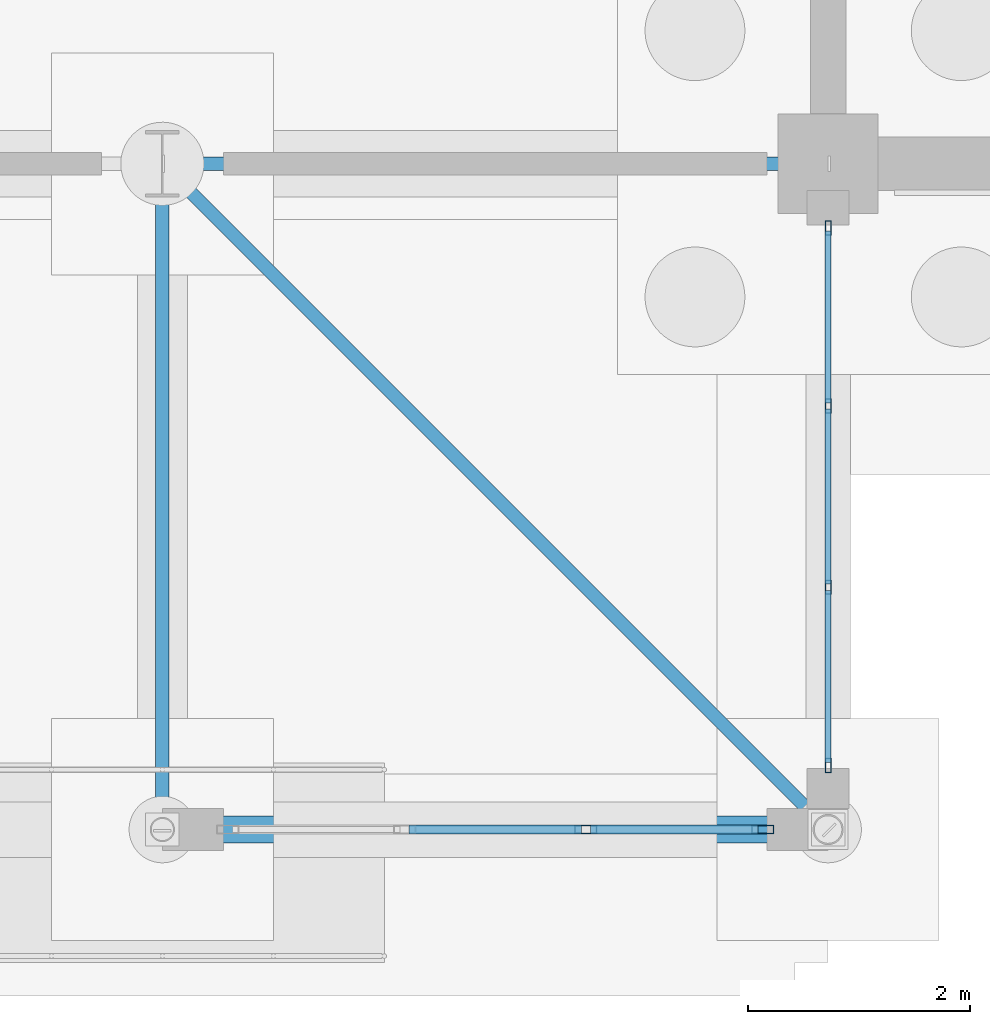
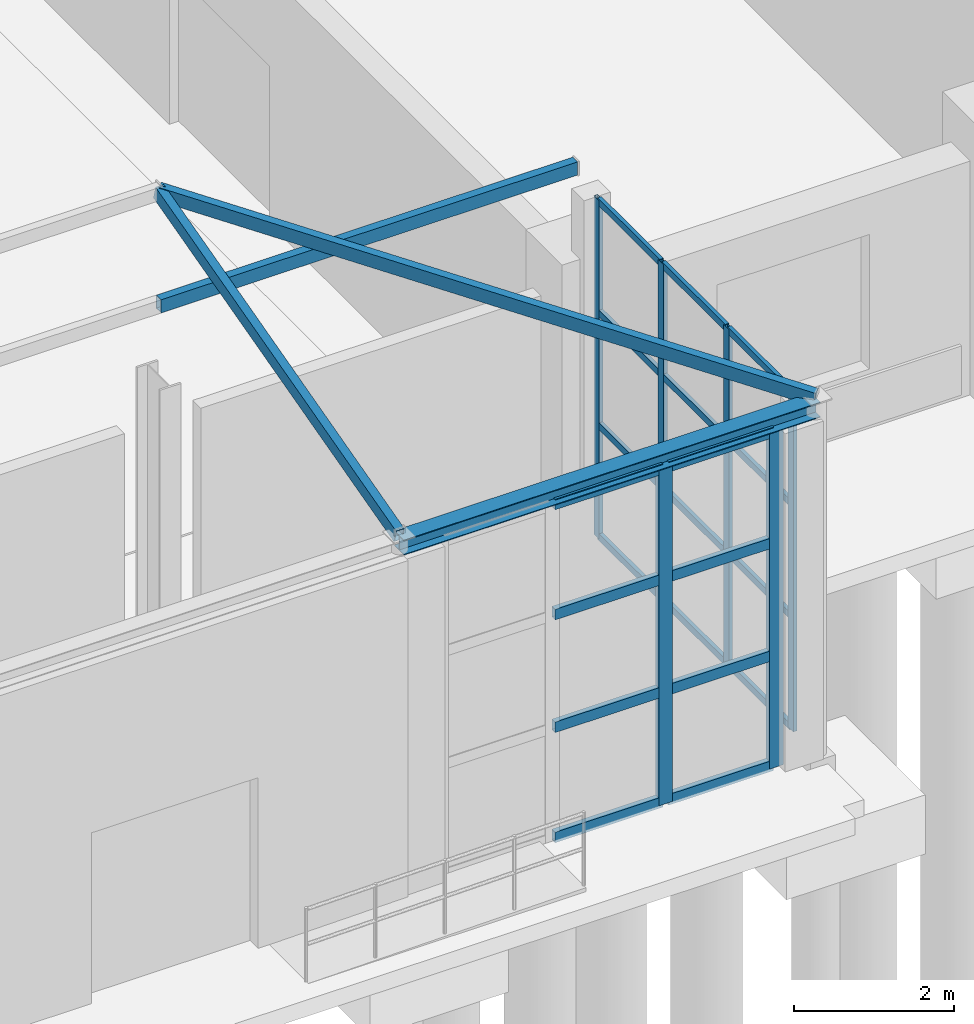
# One storey, part 37 of 77: 28 members, 2 beams, 2 elements without a shape of their own.
"""IFC4 building model written with IfcOpenShell, lengths in metres."""

from ifc_helpers import new_model, si_unit, direction, frame, origin, origin_2d, place, context, subcontext, project, spatial, hollow_rectangle, i_section, extrude, material, layer, layer_set, material_profile, profile_set, type_object, element, aggregate, save


model = new_model("IFC4")

# Units and contexts
model_context = context("Model", 3, precision=1e-05, world=origin(), true_north=direction((0.0, 1.0)))
body_context = subcontext(model_context, "Body", "Model", "MODEL_VIEW")
ifc_project = project(units=[si_unit("LENGTHUNIT", "METRE"), si_unit("AREAUNIT", "SQUARE_METRE"), si_unit("VOLUMEUNIT", "CUBIC_METRE"), si_unit("PLANEANGLEUNIT", "RADIAN"), si_unit("MASSUNIT", "GRAM", prefix="KILO")], contexts=[model_context])

# Site, building, storey
site_placement = place(None, origin())
site = spatial("IfcSite", under=ifc_project, at=site_placement, CompositionType="ELEMENT")
building_placement = place(site_placement, origin())
building = spatial("IfcBuilding", under=site, at=building_placement, Name="Zilviju Railside Exhibition Hall", CompositionType="ELEMENT")
storey_placement = place(building_placement, origin())
storey = spatial("IfcBuildingStorey", under=building, at=storey_placement, Name="L01", CompositionType="ELEMENT", Elevation=0.0)

# Beams
ifc_material_1 = material(Name="Steel S355ML", Category="steel")
ifc_material_profile_1 = material_profile(ifc_material_1, i_section(OverallWidth=0.239990234375, OverallDepth=0.22998046875, WebThickness=0.007568359375, FlangeThickness=0.011962890625, at=origin_2d()), Name="HEA 240")
ifc_profile_set_1 = profile_set([ifc_material_profile_1], Name="Steel S355ML")
beam_type_1 = type_object("IfcBeamType", Name="BM-HEA240", PredefinedType="SPANDREL", material=ifc_profile_set_1)
beam_1_placement = place(storey_placement, frame((72.0, -6.0, 5.280029296875), z_axis=(1.0, 0.0, 0.0), x_axis=(0.0, 1.0, 0.0)))
element("IfcBeam", 1, at=beam_1_placement, inside=storey, type_object=beam_type_1, Name="Porch Eave Beam Y=-6.0 (72.0..78.0)", PredefinedType="SPANDREL", context=body_context, shape_type="SweptSolid", body=[
    extrude(i_section(OverallWidth=0.239990234375, OverallDepth=0.22998046875, WebThickness=0.007568359375, FlangeThickness=0.011962890625, at=origin_2d()), origin(), (0.0, 0.0, 1.0), 6.0),
])
ifc_material_profile_2 = material_profile(ifc_material_1, hollow_rectangle(XDim=0.1201171875, YDim=0.199951171875, WallThickness=0.008056640625, at=origin_2d()), Name="RHS 200x120x8.0")
ifc_profile_set_2 = profile_set([ifc_material_profile_2], Name="Steel S355ML")
beam_type_2 = type_object("IfcBeamType", Name="BM-RHS200", PredefinedType="LINTEL", material=ifc_profile_set_2)
beam_2_placement = place(storey_placement, frame((72.0, 0.0, 5.280029296875), z_axis=(1.0, 0.0, 0.0), x_axis=(0.0, 1.0, 0.0)))
element("IfcBeam", 2, at=beam_2_placement, inside=storey, type_object=beam_type_2, Name="Porch Eave Beam Y=0.0 (72.0..78.0)", PredefinedType="LINTEL", context=body_context, shape_type="SweptSolid", body=[
    extrude(hollow_rectangle(XDim=0.1201171875, YDim=0.199951171875, WallThickness=0.008056640625, at=origin_2d()), origin(), (0.0, 0.0, 1.0), 6.0),
])

# Curtain wall, members
ifc_material_2 = material(Name="Thermally broken aluminium-steel triple-glazed curtain wall", Category="steel")
ifc_layer_1 = layer(ifc_material_2, 0.179931640625)
ifc_layer_set_1 = layer_set([ifc_layer_1], Name="Thermally broken aluminium-steel triple-glazed curtain wall")
curtain_wall_type_1 = type_object("IfcCurtainWallType", Name="CW-BAY-10", PredefinedType="USERDEFINED", material=ifc_layer_set_1)
curtain_wall_1_placement = place(storey_placement, origin())
curtain_wall_1 = element("IfcCurtainWall", 3, at=curtain_wall_1_placement, inside=storey, type_object=curtain_wall_type_1, Name="Glazed Entrance Porch East Curtain Wall", ObjectType="GLAZED CURTAIN WALL", PredefinedType="USERDEFINED")
ifc_material_3 = material(Name="Thermally broken anodized aluminium mullion", Category="aluminium")
ifc_material_profile_3 = material_profile(ifc_material_3, hollow_rectangle(XDim=0.054931640625, YDim=0.1298828125, WallThickness=0.0048828125, at=origin_2d()), Name="MULLION 130x55x5")
ifc_profile_set_3 = profile_set([ifc_material_profile_3], Name="Thermally broken anodized aluminium mullion")
member_type_1 = type_object("IfcMemberType", Name="CWM-55x130", PredefinedType="MULLION", material=ifc_profile_set_3)
member_1_placement = place(storey_placement, frame((78.0, -0.577392578125, 0.0), z_axis=(0.0, 0.0, 1.0), x_axis=(1.0, 0.0, 0.0)))
member_1 = element("IfcMember", 4, at=member_1_placement, type_object=member_type_1, Name="CW-10 mullion 1", PredefinedType="MULLION", context=body_context, shape_type="SweptSolid", body=[
    extrude(hollow_rectangle(XDim=0.054931640625, YDim=0.1298828125, WallThickness=0.0048828125, at=origin_2d()), origin(), (0.0, 0.0, 1.0), 5.14990234375),
])
member_2_placement = place(storey_placement, frame((78.0, -2.183349609375, 0.0), z_axis=(0.0, 0.0, 1.0), x_axis=(1.0, 0.0, 0.0)))
member_2 = element("IfcMember", 5, at=member_2_placement, type_object=member_type_1, Name="CW-10 mullion 2", PredefinedType="MULLION", context=body_context, shape_type="SweptSolid", body=[
    extrude(hollow_rectangle(XDim=0.054931640625, YDim=0.1298828125, WallThickness=0.0048828125, at=origin_2d()), origin(), (0.0, 0.0, 1.0), 5.14990234375),
])
member_3_placement = place(storey_placement, frame((78.0, -3.816650390625, 0.0), z_axis=(0.0, 0.0, 1.0), x_axis=(1.0, 0.0, 0.0)))
member_3 = element("IfcMember", 6, at=member_3_placement, type_object=member_type_1, Name="CW-10 mullion 3", PredefinedType="MULLION", context=body_context, shape_type="SweptSolid", body=[
    extrude(hollow_rectangle(XDim=0.054931640625, YDim=0.1298828125, WallThickness=0.0048828125, at=origin_2d()), origin(), (0.0, 0.0, 1.0), 5.14990234375),
])
member_4_placement = place(storey_placement, frame((78.0, -5.422607421875, 0.0), z_axis=(0.0, 0.0, 1.0), x_axis=(1.0, 0.0, 0.0)))
member_4 = element("IfcMember", 7, at=member_4_placement, type_object=member_type_1, Name="CW-10 mullion 4", PredefinedType="MULLION", context=body_context, shape_type="SweptSolid", body=[
    extrude(hollow_rectangle(XDim=0.054931640625, YDim=0.1298828125, WallThickness=0.0048828125, at=origin_2d()), origin(), (0.0, 0.0, 1.0), 5.14990234375),
])

ifc_layer_2 = layer(ifc_material_2, 0.179931640625)
ifc_layer_set_2 = layer_set([ifc_layer_2], Name="Thermally broken aluminium-steel triple-glazed curtain wall")
curtain_wall_type_2 = type_object("IfcCurtainWallType", Name="CW-BAY-08", PredefinedType="USERDEFINED", material=ifc_layer_set_2)
curtain_wall_2_placement = place(storey_placement, origin())
curtain_wall_2 = element("IfcCurtainWall", 8, at=curtain_wall_2_placement, inside=storey, type_object=curtain_wall_type_2, Name="Glazed Entrance Porch South Curtain Wall (72..78)", ObjectType="GLAZED CURTAIN WALL", PredefinedType="USERDEFINED")
ifc_material_profile_4 = material_profile(ifc_material_3, hollow_rectangle(XDim=0.080078125, YDim=0.199951171875, WallThickness=0.0048828125, at=origin_2d()), Name="MULLION 200x80x5")
ifc_profile_set_4 = profile_set([ifc_material_profile_4], Name="Thermally broken anodized aluminium mullion")
member_type_2 = type_object("IfcMemberType", Name="CWM-80x200", PredefinedType="MULLION", material=ifc_profile_set_4)
member_5_placement = place(storey_placement, frame((77.409912109375, -6.0, 0.0), z_axis=(0.0, 0.0, 1.0), x_axis=(0.0, -1.0, 0.0)))
member_5 = element("IfcMember", 9, at=member_5_placement, type_object=member_type_2, Name="CW-08 mullion 1", PredefinedType="MULLION", context=body_context, shape_type="SweptSolid", body=[
    extrude(hollow_rectangle(XDim=0.080078125, YDim=0.199951171875, WallThickness=0.0048828125, at=origin_2d()), origin(), (0.0, 0.0, 1.0), 5.14990234375),
])
member_6_placement = place(storey_placement, frame((75.816650390625, -6.0, 0.0), z_axis=(0.0, 0.0, 1.0), x_axis=(0.0, -1.0, 0.0)))
member_6 = element("IfcMember", 10, at=member_6_placement, type_object=member_type_2, Name="CW-08 mullion 2", PredefinedType="MULLION", context=body_context, shape_type="SweptSolid", body=[
    extrude(hollow_rectangle(XDim=0.080078125, YDim=0.199951171875, WallThickness=0.0048828125, at=origin_2d()), origin(), (0.0, 0.0, 1.0), 5.14990234375),
])

# Member
ifc_material_4 = material(Name="Thermally broken anodized aluminium transom", Category="aluminium")
ifc_material_profile_5 = material_profile(ifc_material_4, hollow_rectangle(XDim=0.054931640625, YDim=0.10498046875, WallThickness=0.0048828125, at=origin_2d()), Name="TRANSOM 105x55x5")
ifc_profile_set_5 = profile_set([ifc_material_profile_5], Name="Thermally broken anodized aluminium transom")
member_type_3 = type_object("IfcMemberType", Name="CWT-55x105", PredefinedType="USERDEFINED", material=ifc_profile_set_5)
member_7_placement = place(storey_placement, frame((78.0, -0.60498046875, 0.027587890625), z_axis=(0.0, -1.0, 0.0), x_axis=(1.0, 0.0, 0.0)))
member_7 = element("IfcMember", 11, at=member_7_placement, type_object=member_type_3, Name="CW-10 transom 1.1", ObjectType="TRANSOM", PredefinedType="USERDEFINED", context=body_context, shape_type="SweptSolid", body=[
    extrude(hollow_rectangle(XDim=0.054931640625, YDim=0.10498046875, WallThickness=0.0048828125, at=origin_2d()), origin(), (0.0, 0.0, 1.0), 1.55078125),
])

member_8_placement = place(storey_placement, frame((78.0, -0.60498046875, 1.717041015625), z_axis=(0.0, -1.0, 0.0), x_axis=(1.0, 0.0, 0.0)))
member_8 = element("IfcMember", 12, at=member_8_placement, type_object=member_type_3, Name="CW-10 transom 1.2", ObjectType="TRANSOM", PredefinedType="USERDEFINED", context=body_context, shape_type="SweptSolid", body=[
    extrude(hollow_rectangle(XDim=0.054931640625, YDim=0.10498046875, WallThickness=0.0048828125, at=origin_2d()), origin(), (0.0, 0.0, 1.0), 1.55078125),
])

member_9_placement = place(storey_placement, frame((78.0, -0.60498046875, 3.43310546875), z_axis=(0.0, -1.0, 0.0), x_axis=(1.0, 0.0, 0.0)))
member_9 = element("IfcMember", 13, at=member_9_placement, type_object=member_type_3, Name="CW-10 transom 1.3", ObjectType="TRANSOM", PredefinedType="USERDEFINED", context=body_context, shape_type="SweptSolid", body=[
    extrude(hollow_rectangle(XDim=0.054931640625, YDim=0.10498046875, WallThickness=0.0048828125, at=origin_2d()), origin(), (0.0, 0.0, 1.0), 1.55078125),
])

member_10_placement = place(storey_placement, frame((78.0, -0.60498046875, 5.12255859375), z_axis=(0.0, -1.0, 0.0), x_axis=(1.0, 0.0, 0.0)))
member_10 = element("IfcMember", 14, at=member_10_placement, type_object=member_type_3, Name="CW-10 transom 1.4", ObjectType="TRANSOM", PredefinedType="USERDEFINED", context=body_context, shape_type="SweptSolid", body=[
    extrude(hollow_rectangle(XDim=0.054931640625, YDim=0.10498046875, WallThickness=0.0048828125, at=origin_2d()), origin(), (0.0, 0.0, 1.0), 1.55078125),
])

member_11_placement = place(storey_placement, frame((78.0, -2.2109375, 0.027587890625), z_axis=(0.0, -1.0, 0.0), x_axis=(1.0, 0.0, 0.0)))
member_11 = element("IfcMember", 15, at=member_11_placement, type_object=member_type_3, Name="CW-10 transom 2.1", ObjectType="TRANSOM", PredefinedType="USERDEFINED", context=body_context, shape_type="SweptSolid", body=[
    extrude(hollow_rectangle(XDim=0.054931640625, YDim=0.10498046875, WallThickness=0.0048828125, at=origin_2d()), origin(), (0.0, 0.0, 1.0), 1.578125),
])

member_12_placement = place(storey_placement, frame((78.0, -2.2109375, 1.717041015625), z_axis=(0.0, -1.0, 0.0), x_axis=(1.0, 0.0, 0.0)))
member_12 = element("IfcMember", 16, at=member_12_placement, type_object=member_type_3, Name="CW-10 transom 2.2", ObjectType="TRANSOM", PredefinedType="USERDEFINED", context=body_context, shape_type="SweptSolid", body=[
    extrude(hollow_rectangle(XDim=0.054931640625, YDim=0.10498046875, WallThickness=0.0048828125, at=origin_2d()), origin(), (0.0, 0.0, 1.0), 1.578125),
])

member_13_placement = place(storey_placement, frame((78.0, -2.2109375, 3.43310546875), z_axis=(0.0, -1.0, 0.0), x_axis=(1.0, 0.0, 0.0)))
member_13 = element("IfcMember", 17, at=member_13_placement, type_object=member_type_3, Name="CW-10 transom 2.3", ObjectType="TRANSOM", PredefinedType="USERDEFINED", context=body_context, shape_type="SweptSolid", body=[
    extrude(hollow_rectangle(XDim=0.054931640625, YDim=0.10498046875, WallThickness=0.0048828125, at=origin_2d()), origin(), (0.0, 0.0, 1.0), 1.578125),
])

member_14_placement = place(storey_placement, frame((78.0, -2.2109375, 5.12255859375), z_axis=(0.0, -1.0, 0.0), x_axis=(1.0, 0.0, 0.0)))
member_14 = element("IfcMember", 18, at=member_14_placement, type_object=member_type_3, Name="CW-10 transom 2.4", ObjectType="TRANSOM", PredefinedType="USERDEFINED", context=body_context, shape_type="SweptSolid", body=[
    extrude(hollow_rectangle(XDim=0.054931640625, YDim=0.10498046875, WallThickness=0.0048828125, at=origin_2d()), origin(), (0.0, 0.0, 1.0), 1.578125),
])

member_15_placement = place(storey_placement, frame((78.0, -3.84423828125, 0.027587890625), z_axis=(0.0, -1.0, 0.0), x_axis=(1.0, 0.0, 0.0)))
member_15 = element("IfcMember", 19, at=member_15_placement, type_object=member_type_3, Name="CW-10 transom 3.1", ObjectType="TRANSOM", PredefinedType="USERDEFINED", context=body_context, shape_type="SweptSolid", body=[
    extrude(hollow_rectangle(XDim=0.054931640625, YDim=0.10498046875, WallThickness=0.0048828125, at=origin_2d()), origin(), (0.0, 0.0, 1.0), 1.55078125),
])

member_16_placement = place(storey_placement, frame((78.0, -3.84423828125, 1.717041015625), z_axis=(0.0, -1.0, 0.0), x_axis=(1.0, 0.0, 0.0)))
member_16 = element("IfcMember", 20, at=member_16_placement, type_object=member_type_3, Name="CW-10 transom 3.2", ObjectType="TRANSOM", PredefinedType="USERDEFINED", context=body_context, shape_type="SweptSolid", body=[
    extrude(hollow_rectangle(XDim=0.054931640625, YDim=0.10498046875, WallThickness=0.0048828125, at=origin_2d()), origin(), (0.0, 0.0, 1.0), 1.55078125),
])

member_17_placement = place(storey_placement, frame((78.0, -3.84423828125, 3.43310546875), z_axis=(0.0, -1.0, 0.0), x_axis=(1.0, 0.0, 0.0)))
member_17 = element("IfcMember", 21, at=member_17_placement, type_object=member_type_3, Name="CW-10 transom 3.3", ObjectType="TRANSOM", PredefinedType="USERDEFINED", context=body_context, shape_type="SweptSolid", body=[
    extrude(hollow_rectangle(XDim=0.054931640625, YDim=0.10498046875, WallThickness=0.0048828125, at=origin_2d()), origin(), (0.0, 0.0, 1.0), 1.55078125),
])

member_18_placement = place(storey_placement, frame((78.0, -3.84423828125, 5.12255859375), z_axis=(0.0, -1.0, 0.0), x_axis=(1.0, 0.0, 0.0)))
member_18 = element("IfcMember", 22, at=member_18_placement, type_object=member_type_3, Name="CW-10 transom 3.4", ObjectType="TRANSOM", PredefinedType="USERDEFINED", context=body_context, shape_type="SweptSolid", body=[
    extrude(hollow_rectangle(XDim=0.054931640625, YDim=0.10498046875, WallThickness=0.0048828125, at=origin_2d()), origin(), (0.0, 0.0, 1.0), 1.55078125),
])

aggregate(curtain_wall_1, [member_1, member_2, member_3, member_4, member_7, member_8, member_9, member_10, member_11, member_12, member_13, member_14, member_15, member_16, member_17, member_18])

ifc_material_profile_6 = material_profile(ifc_material_4, hollow_rectangle(XDim=0.080078125, YDim=0.159912109375, WallThickness=0.0048828125, at=origin_2d()), Name="TRANSOM 160x80x5")
ifc_profile_set_6 = profile_set([ifc_material_profile_6], Name="Thermally broken anodized aluminium transom")
member_type_4 = type_object("IfcMemberType", Name="CWT-80x160", PredefinedType="USERDEFINED", material=ifc_profile_set_6)
member_19_placement = place(storey_placement, frame((77.3701171875, -6.0, 0.0400390625), z_axis=(-1.0, 0.0, 0.0), x_axis=(0.0, -1.0, 0.0)))
member_19 = element("IfcMember", 23, at=member_19_placement, type_object=member_type_4, Name="CW-08 transom 1.1", ObjectType="TRANSOM", PredefinedType="USERDEFINED", context=body_context, shape_type="SweptSolid", body=[
    extrude(hollow_rectangle(XDim=0.080078125, YDim=0.159912109375, WallThickness=0.0048828125, at=origin_2d()), origin(), (0.0, 0.0, 1.0), 1.513427734375),
])

member_20_placement = place(storey_placement, frame((77.3701171875, -6.0, 1.717041015625), z_axis=(-1.0, 0.0, 0.0), x_axis=(0.0, -1.0, 0.0)))
member_20 = element("IfcMember", 24, at=member_20_placement, type_object=member_type_4, Name="CW-08 transom 1.2", ObjectType="TRANSOM", PredefinedType="USERDEFINED", context=body_context, shape_type="SweptSolid", body=[
    extrude(hollow_rectangle(XDim=0.080078125, YDim=0.159912109375, WallThickness=0.0048828125, at=origin_2d()), origin(), (0.0, 0.0, 1.0), 1.513427734375),
])

member_21_placement = place(storey_placement, frame((77.3701171875, -6.0, 3.43310546875), z_axis=(-1.0, 0.0, 0.0), x_axis=(0.0, -1.0, 0.0)))
member_21 = element("IfcMember", 25, at=member_21_placement, type_object=member_type_4, Name="CW-08 transom 1.3", ObjectType="TRANSOM", PredefinedType="USERDEFINED", context=body_context, shape_type="SweptSolid", body=[
    extrude(hollow_rectangle(XDim=0.080078125, YDim=0.159912109375, WallThickness=0.0048828125, at=origin_2d()), origin(), (0.0, 0.0, 1.0), 1.513427734375),
])

member_22_placement = place(storey_placement, frame((77.3701171875, -6.0, 5.110107421875), z_axis=(-1.0, 0.0, 0.0), x_axis=(0.0, -1.0, 0.0)))
member_22 = element("IfcMember", 26, at=member_22_placement, type_object=member_type_4, Name="CW-08 transom 1.4", ObjectType="TRANSOM", PredefinedType="USERDEFINED", context=body_context, shape_type="SweptSolid", body=[
    extrude(hollow_rectangle(XDim=0.080078125, YDim=0.159912109375, WallThickness=0.0048828125, at=origin_2d()), origin(), (0.0, 0.0, 1.0), 1.513427734375),
])

member_23_placement = place(storey_placement, frame((75.776611328125, -6.0, 0.0400390625), z_axis=(-1.0, 0.0, 0.0), x_axis=(0.0, -1.0, 0.0)))
member_23 = element("IfcMember", 27, at=member_23_placement, type_object=member_type_4, Name="CW-08 transom 2.1", ObjectType="TRANSOM", PredefinedType="USERDEFINED", context=body_context, shape_type="SweptSolid", body=[
    extrude(hollow_rectangle(XDim=0.080078125, YDim=0.159912109375, WallThickness=0.0048828125, at=origin_2d()), origin(), (0.0, 0.0, 1.0), 1.55322265625),
])

member_24_placement = place(storey_placement, frame((75.776611328125, -6.0, 1.717041015625), z_axis=(-1.0, 0.0, 0.0), x_axis=(0.0, -1.0, 0.0)))
member_24 = element("IfcMember", 28, at=member_24_placement, type_object=member_type_4, Name="CW-08 transom 2.2", ObjectType="TRANSOM", PredefinedType="USERDEFINED", context=body_context, shape_type="SweptSolid", body=[
    extrude(hollow_rectangle(XDim=0.080078125, YDim=0.159912109375, WallThickness=0.0048828125, at=origin_2d()), origin(), (0.0, 0.0, 1.0), 1.55322265625),
])

member_25_placement = place(storey_placement, frame((75.776611328125, -6.0, 3.43310546875), z_axis=(-1.0, 0.0, 0.0), x_axis=(0.0, -1.0, 0.0)))
member_25 = element("IfcMember", 29, at=member_25_placement, type_object=member_type_4, Name="CW-08 transom 2.3", ObjectType="TRANSOM", PredefinedType="USERDEFINED", context=body_context, shape_type="SweptSolid", body=[
    extrude(hollow_rectangle(XDim=0.080078125, YDim=0.159912109375, WallThickness=0.0048828125, at=origin_2d()), origin(), (0.0, 0.0, 1.0), 1.55322265625),
])

member_26_placement = place(storey_placement, frame((75.776611328125, -6.0, 5.110107421875), z_axis=(-1.0, 0.0, 0.0), x_axis=(0.0, -1.0, 0.0)))
member_26 = element("IfcMember", 30, at=member_26_placement, type_object=member_type_4, Name="CW-08 transom 2.4", ObjectType="TRANSOM", PredefinedType="USERDEFINED", context=body_context, shape_type="SweptSolid", body=[
    extrude(hollow_rectangle(XDim=0.080078125, YDim=0.159912109375, WallThickness=0.0048828125, at=origin_2d()), origin(), (0.0, 0.0, 1.0), 1.55322265625),
])

aggregate(curtain_wall_2, [member_5, member_6, member_19, member_20, member_21, member_22, member_23, member_24, member_25, member_26])

# Members
ifc_material_profile_7 = material_profile(ifc_material_1, hollow_rectangle(XDim=0.1201171875, YDim=0.199951171875, WallThickness=0.008056640625, at=origin_2d()), Name="RHS 200x120x8.0")
ifc_profile_set_7 = profile_set([ifc_material_profile_7], Name="Steel S355ML")
member_type_5 = type_object("IfcMemberType", Name="TR-RAF-RHS200", PredefinedType="RAFTER", material=ifc_profile_set_7)
member_27_placement = place(storey_placement, frame((72.0, -6.0, 5.39990234375), z_axis=(0.0, 0.966231024199, 0.25767733287), x_axis=(-1.0, 0.0, 0.0)))
element("IfcMember", 31, at=member_27_placement, inside=storey, type_object=member_type_5, Name="Entrance Porch Wrought-Iron Rafter X=72.0", PredefinedType="RAFTER", context=body_context, shape_type="SweptSolid", body=[
    extrude(hollow_rectangle(XDim=0.1201171875, YDim=0.199951171875, WallThickness=0.008056640625, at=origin_2d()), origin(), (0.0, 0.0, 1.0), 6.209716796875),
])
member_28_placement = place(storey_placement, frame((78.0, -6.0, 5.39990234375), z_axis=(-0.694860125707, 0.694860125707, 0.185307343094), x_axis=(-0.707106781187, -0.707106781187, 0.0)))
element("IfcMember", 32, at=member_28_placement, inside=storey, type_object=member_type_5, Name="Entrance Porch Hip Rafter", PredefinedType="RAFTER", context=body_context, shape_type="SweptSolid", body=[
    extrude(hollow_rectangle(XDim=0.1201171875, YDim=0.199951171875, WallThickness=0.008056640625, at=origin_2d()), origin(), (0.0, 0.0, 1.0), 8.634765625),
])

save(model, "model.ifc")
